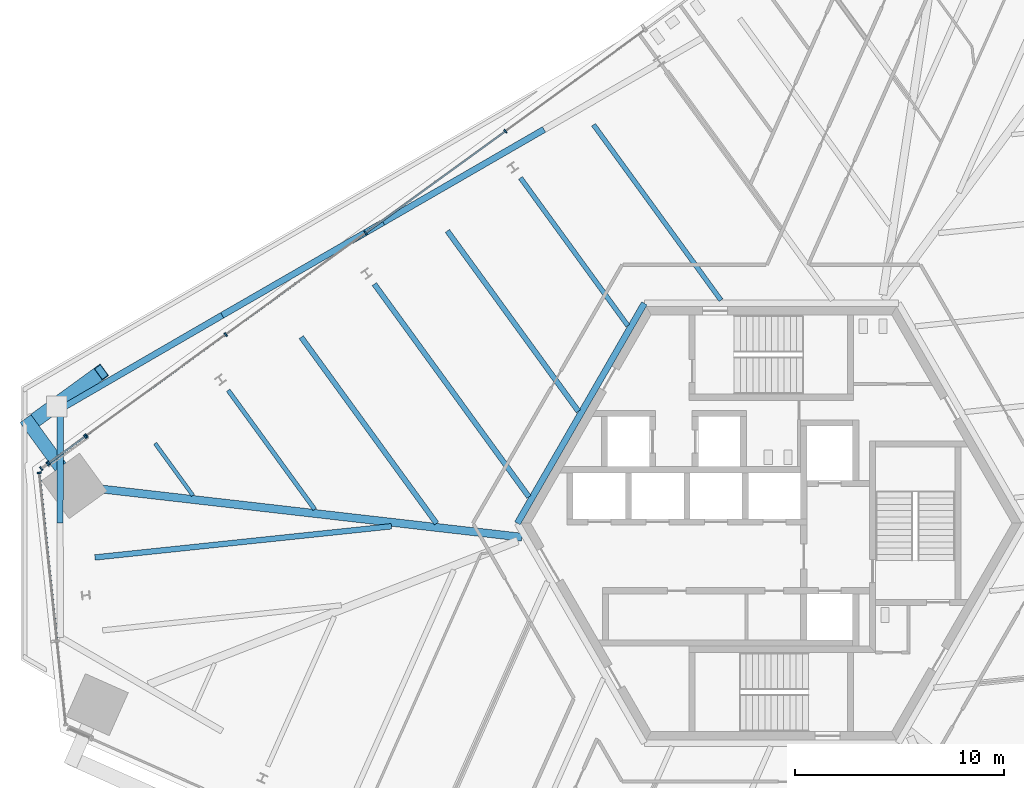
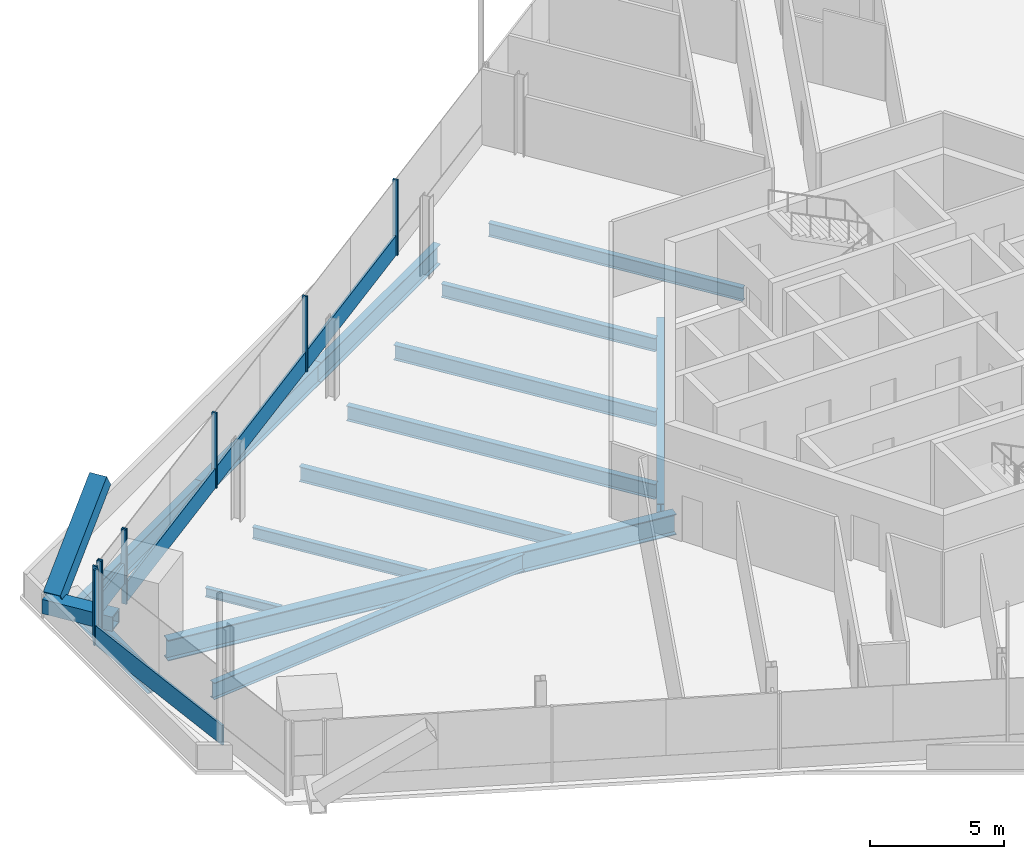
# One storey, part 6 of 24: 16 members, 14 beams, 4 elements without a shape of their own.
"""IFC4 building model written with IfcOpenShell, lengths in metres."""

from ifc_helpers import new_model, si_unit, direction, frame, origin, origin_2d, place, context, subcontext, project, spatial, rectangle, hollow_rectangle, i_section, extrude, source, transform, mapped, material, material_profile, profile_set, type_object, element, aggregate, save


model = new_model("IFC4")

# Units and contexts
model_context = context("Model", 3, precision=1e-05, world=origin(), true_north=direction((0.0, 1.0)))
body_context = subcontext(model_context, "Body", "Model", "MODEL_VIEW")
ifc_project = project(units=[si_unit("LENGTHUNIT", "METRE"), si_unit("AREAUNIT", "SQUARE_METRE"), si_unit("VOLUMEUNIT", "CUBIC_METRE"), si_unit("PLANEANGLEUNIT", "RADIAN"), si_unit("MASSUNIT", "GRAM", prefix="KILO")], contexts=[model_context])

# Site, building, storey
site_placement = place(None, origin())
site = spatial("IfcSite", under=ifc_project, at=site_placement, CompositionType="ELEMENT")
building_placement = place(site_placement, origin())
building = spatial("IfcBuilding", under=site, at=building_placement, Name="Triune Harvest Tower", CompositionType="ELEMENT")
storey_placement = place(building_placement, frame((0.0, 0.0, 58.5)))
storey = spatial("IfcBuildingStorey", under=building, at=storey_placement, Name="L13", CompositionType="ELEMENT", Elevation=58.5)

# Beams
ifc_material_1 = material(Name="Steel ASTM A992 Gr 50", Category="steel")
ifc_material_profile_1 = material_profile(ifc_material_1, i_section(OverallWidth=0.383544921875, OverallDepth=0.9423828125, WebThickness=0.022216796875, FlangeThickness=0.039794921875, at=origin_2d()), Name="W36x232")
ifc_profile_set_1 = profile_set([ifc_material_profile_1], Name="Steel ASTM A992 Gr 50")
beam_type_1 = type_object("IfcBeamType", Name="HG-1 Hip girder W36x232", PredefinedType="BEAM", material=ifc_profile_set_1)
beam_1_placement = place(storey_placement, frame((-32.503173828125, 1.684326171875, -0.631103515625), z_axis=(0.993487831556, -0.113938266396, 0.0), x_axis=(0.113938266396, 0.993487831556, 0.0)))
element("IfcBeam", 1, at=beam_1_placement, inside=storey, type_object=beam_type_1, Name="beam/L13/HG5", PredefinedType="BEAM", context=body_context, shape_type="SweptSolid", body=[
    extrude(i_section(OverallWidth=0.383544921875, OverallDepth=0.9423828125, WebThickness=0.022216796875, FlangeThickness=0.039794921875, at=origin_2d()), origin(), (0.0, 0.0, 1.0), 20.673095703125),
])
ifc_material_2 = material(Name="Steel ASTM A992 Gr 50", Category="steel")
ifc_material_profile_2 = material_profile(ifc_material_2, i_section(OverallWidth=0.22900390625, OverallDepth=0.612060546875, WebThickness=0.011962890625, FlangeThickness=0.01953125, at=origin_2d()), Name="W24x84")
ifc_profile_set_2 = profile_set([ifc_material_profile_2], Name="Steel ASTM A992 Gr 50")
beam_type_2 = type_object("IfcBeamType", Name="JT-3 Floor joist W24x84", PredefinedType="JOIST", material=ifc_profile_set_2)
beam_2_placement = place(storey_placement, frame((-8.526611328125, 19.1044921875, -0.466064453125), z_axis=(0.587786097412, -0.809016380359, 0.0), x_axis=(0.809016380359, 0.587786097412, 0.0)))
element("IfcBeam", 2, at=beam_2_placement, inside=storey, type_object=beam_type_2, Name="beam/L13/JT18", PredefinedType="JOIST", context=body_context, shape_type="SweptSolid", body=[
    extrude(i_section(OverallWidth=0.22900390625, OverallDepth=0.612060546875, WebThickness=0.011962890625, FlangeThickness=0.01953125, at=origin_2d()), origin(), (0.0, 0.0, 1.0), 10.392333984375),
])
ifc_material_3 = material(Name="Steel ASTM A992 Gr 50", Category="steel")
ifc_material_profile_3 = material_profile(ifc_material_3, i_section(OverallWidth=0.253662109375, OverallDepth=0.683349609375, WebThickness=0.012451171875, FlangeThickness=0.01904296875, at=origin_2d()), Name="W27x94")
ifc_profile_set_3 = profile_set([ifc_material_profile_3], Name="Steel ASTM A992 Gr 50")
beam_type_3 = type_object("IfcBeamType", Name="JT-4 Floor joist W27x94", PredefinedType="JOIST", material=ifc_profile_set_3)
beam_3_placement = place(storey_placement, frame((-19.038330078125, 11.467041015625, -0.501708984375), z_axis=(0.587795332678, -0.809009670451, 0.0), x_axis=(0.809009670451, 0.587795332678, 0.0)))
element("IfcBeam", 3, at=beam_3_placement, inside=storey, type_object=beam_type_3, Name="beam/L13/JT21", PredefinedType="JOIST", context=body_context, shape_type="SweptSolid", body=[
    extrude(i_section(OverallWidth=0.253662109375, OverallDepth=0.683349609375, WebThickness=0.012451171875, FlangeThickness=0.01904296875, at=origin_2d()), origin(), (0.0, 0.0, 1.0), 12.614501953125),
])
ifc_material_4 = material(Name="Steel ASTM A992 Gr 50", Category="steel")
ifc_material_profile_4 = material_profile(ifc_material_4, i_section(OverallWidth=0.2666015625, OverallDepth=0.7568359375, WebThickness=0.013916015625, FlangeThickness=0.019287109375, at=origin_2d()), Name="W30x108")
ifc_profile_set_4 = profile_set([ifc_material_profile_4], Name="Steel ASTM A992 Gr 50")
beam_type_4 = type_object("IfcBeamType", Name="JT-5 Floor joist W30x108", PredefinedType="JOIST", material=ifc_profile_set_4)
beam_4_placement = place(storey_placement, frame((-32.4326171875, -1.641357421875, -0.53857421875), z_axis=(0.994522285292, 0.104524753323, 0.0), x_axis=(-0.104524753323, 0.994522285292, 0.0)))
element("IfcBeam", 4, at=beam_4_placement, inside=storey, type_object=beam_type_4, Name="beam/L13/JT25", PredefinedType="JOIST", context=body_context, shape_type="SweptSolid", body=[
    extrude(i_section(OverallWidth=0.2666015625, OverallDepth=0.7568359375, WebThickness=0.013916015625, FlangeThickness=0.019287109375, at=origin_2d()), origin(), (0.0, 0.0, 1.0), 14.294677734375),
])
ifc_material_5 = material(Name="Steel ASTM A992 Gr 50", Category="steel")
ifc_material_profile_5 = material_profile(ifc_material_5, i_section(OverallWidth=0.3046875, OverallDepth=0.914306640625, WebThickness=0.0166015625, FlangeThickness=0.02587890625, at=origin_2d()), Name="W36x160")
ifc_profile_set_5 = profile_set([ifc_material_profile_5], Name="Steel ASTM A992 Gr 50")
beam_type_5 = type_object("IfcBeamType", Name="CG-1 Core ring girder W36x160", PredefinedType="BEAM", material=ifc_profile_set_5)
shared_shape_1 = source(origin(), body_context, "Body", "SweptSolid", [
    extrude(i_section(OverallWidth=0.3046875, OverallDepth=0.914306640625, WebThickness=0.0166015625, FlangeThickness=0.02587890625, at=origin_2d()), origin(), (0.0, 0.0, 1.0), 12.176025390625),
])
beam_5_placement = place(storey_placement, frame((-6.087890625, 10.544677734375, -0.6171875), z_axis=(-0.5000099932, -0.866019634131, 0.0), x_axis=(0.866019634131, -0.5000099932, 0.0)))
element("IfcBeam", 5, at=beam_5_placement, inside=storey, type_object=beam_type_5, Name="beam/L13/CG3", PredefinedType="BEAM", context=body_context, shape_type="MappedRepresentation", body=[
    mapped(shared_shape_1, transform((0.0, 0.0, 0.0), scale=1.0)),
])
ifc_material_6 = material(Name="Steel ASTM A992 Gr 50", Category="steel")
ifc_material_profile_6 = material_profile(ifc_material_6, i_section(OverallWidth=0.3046875, OverallDepth=0.914306640625, WebThickness=0.0166015625, FlangeThickness=0.02587890625, at=origin_2d()), Name="W36x160")
ifc_profile_set_6 = profile_set([ifc_material_profile_6], Name="Steel ASTM A992 Gr 50")
beam_type_6 = type_object("IfcBeamType", Name="SB-1 Spandrel beam W36x160", PredefinedType="SPANDREL", material=ifc_profile_set_6)
shared_shape_2 = source(origin(), body_context, "Body", "SweptSolid", [
    extrude(i_section(OverallWidth=0.3046875, OverallDepth=0.914306640625, WebThickness=0.0166015625, FlangeThickness=0.02587890625, at=origin_2d()), origin(), (0.0, 0.0, 1.0), 8.909912109375),
])
beam_6_placement = place(storey_placement, frame((-18.615966796875, 14.423828125, -0.6171875), z_axis=(-0.866034096015, -0.499984944314, 0.0), x_axis=(0.499984944314, -0.866034096015, 0.0)))
element("IfcBeam", 6, at=beam_6_placement, inside=storey, type_object=beam_type_6, Name="beam/L13/WB11", PredefinedType="SPANDREL", context=body_context, shape_type="MappedRepresentation", body=[
    mapped(shared_shape_2, transform((0.0, 0.0, 0.0), scale=1.0)),
])
shared_shape_3 = source(origin(), body_context, "Body", "SweptSolid", [
    extrude(i_section(OverallWidth=0.3046875, OverallDepth=0.914306640625, WebThickness=0.0166015625, FlangeThickness=0.02587890625, at=origin_2d()), origin(), (0.0, 0.0, 1.0), 8.91015625),
])
beam_7_placement = place(storey_placement, frame((-10.899658203125, 18.87890625, -0.6171875), z_axis=(-0.866022231217, -0.500005495009, 0.0), x_axis=(0.500005495009, -0.866022231217, 0.0)))
element("IfcBeam", 7, at=beam_7_placement, inside=storey, type_object=beam_type_6, Name="beam/L13/WB10", PredefinedType="SPANDREL", context=body_context, shape_type="MappedRepresentation", body=[
    mapped(shared_shape_3, transform((0.0, 0.0, 0.0), scale=1.0)),
])
shared_shape_4 = source(origin(), body_context, "Body", "SweptSolid", [
    extrude(i_section(OverallWidth=0.3046875, OverallDepth=0.914306640625, WebThickness=0.0166015625, FlangeThickness=0.02587890625, at=origin_2d()), origin(), (0.0, 0.0, 1.0), 5.469970703125),
])
beam_8_placement = place(storey_placement, frame((-34.092529296875, 5.469970703125, -0.6171875), z_axis=(-0.002945758252, -0.999995661245, 0.0), x_axis=(0.999995661245, -0.002945758252, 0.0)))
element("IfcBeam", 8, at=beam_8_placement, inside=storey, type_object=beam_type_6, Name="beam/L13/WB13", PredefinedType="SPANDREL", context=body_context, shape_type="MappedRepresentation", body=[
    mapped(shared_shape_4, transform((0.0, 0.0, 0.0), scale=1.0)),
])
shared_shape_5 = source(origin(), body_context, "Body", "SweptSolid", [
    extrude(i_section(OverallWidth=0.3046875, OverallDepth=0.914306640625, WebThickness=0.0166015625, FlangeThickness=0.02587890625, at=origin_2d()), origin(), (0.0, 0.0, 1.0), 8.97021484375),
])
beam_9_placement = place(storey_placement, frame((-26.332275390625, 9.968994140625, -0.6171875), z_axis=(-0.865124255228, -0.501557596909, 0.0), x_axis=(0.501557596909, -0.865124255228, 0.0)))
element("IfcBeam", 9, at=beam_9_placement, inside=storey, type_object=beam_type_6, Name="beam/L13/WB12", PredefinedType="SPANDREL", context=body_context, shape_type="MappedRepresentation", body=[
    mapped(shared_shape_5, transform((0.0, 0.0, 0.0), scale=1.0)),
])
shared_shape_6 = source(origin(), body_context, "Body", "SweptSolid", [
    extrude(i_section(OverallWidth=0.22900390625, OverallDepth=0.612060546875, WebThickness=0.011962890625, FlangeThickness=0.01953125, at=origin_2d()), origin(), (0.0, 0.0, 1.0), 8.758056640625),
])
beam_10_placement = place(storey_placement, frame((-12.030517578125, 16.55859375, -0.466064453125), z_axis=(0.587790411092, -0.809013246263, 0.0), x_axis=(0.809013246263, 0.587790411092, 0.0)))
element("IfcBeam", 10, at=beam_10_placement, inside=storey, type_object=beam_type_2, Name="beam/L13/JT19", PredefinedType="JOIST", context=body_context, shape_type="MappedRepresentation", body=[
    mapped(shared_shape_6, transform((0.0, 0.0, 0.0), scale=1.0)),
])
shared_shape_7 = source(origin(), body_context, "Body", "SweptSolid", [
    extrude(i_section(OverallWidth=0.253662109375, OverallDepth=0.683349609375, WebThickness=0.012451171875, FlangeThickness=0.01904296875, at=origin_2d()), origin(), (0.0, 0.0, 1.0), 10.686279296875),
])
beam_11_placement = place(storey_placement, frame((-15.534423828125, 14.012939453125, -0.501708984375), z_axis=(0.587780407528, -0.80902051428, 0.0), x_axis=(0.80902051428, 0.587780407528, 0.0)))
element("IfcBeam", 11, at=beam_11_placement, inside=storey, type_object=beam_type_3, Name="beam/L13/JT20", PredefinedType="JOIST", context=body_context, shape_type="MappedRepresentation", body=[
    mapped(shared_shape_7, transform((0.0, 0.0, 0.0), scale=1.0)),
])
ifc_material_7 = material(Name="Steel ASTM A992 Gr 50", Category="steel")
ifc_material_profile_7 = material_profile(ifc_material_7, i_section(OverallWidth=0.180908203125, OverallDepth=0.41650390625, WebThickness=0.010986328125, FlangeThickness=0.01806640625, at=origin_2d()), Name="W16x57")
ifc_profile_set_7 = profile_set([ifc_material_profile_7], Name="Steel ASTM A992 Gr 50")
beam_type_7 = type_object("IfcBeamType", Name="JT-1 Floor joist W16x57", PredefinedType="JOIST", material=ifc_profile_set_7)
shared_shape_8 = source(origin(), body_context, "Body", "SweptSolid", [
    extrude(i_section(OverallWidth=0.180908203125, OverallDepth=0.41650390625, WebThickness=0.010986328125, FlangeThickness=0.01806640625, at=origin_2d()), origin(), (0.0, 0.0, 1.0), 3.08935546875),
])
beam_12_placement = place(storey_placement, frame((-29.55029296875, 3.829833984375, -0.368408203125), z_axis=(0.587805121432, -0.809002558228, 0.0), x_axis=(0.809002558228, 0.587805121432, 0.0)))
element("IfcBeam", 12, at=beam_12_placement, inside=storey, type_object=beam_type_7, Name="beam/L13/JT24", PredefinedType="JOIST", context=body_context, shape_type="MappedRepresentation", body=[
    mapped(shared_shape_8, transform((0.0, 0.0, 0.0), scale=1.0)),
])
shared_shape_9 = source(origin(), body_context, "Body", "SweptSolid", [
    extrude(i_section(OverallWidth=0.253662109375, OverallDepth=0.683349609375, WebThickness=0.012451171875, FlangeThickness=0.01904296875, at=origin_2d()), origin(), (0.0, 0.0, 1.0), 11.03857421875),
])
beam_13_placement = place(storey_placement, frame((-22.542236328125, 8.92138671875, -0.501708984375), z_axis=(0.587782369697, -0.809019088695, 0.0), x_axis=(0.809019088695, 0.587782369697, 0.0)))
element("IfcBeam", 13, at=beam_13_placement, inside=storey, type_object=beam_type_3, Name="beam/L13/JT22", PredefinedType="JOIST", context=body_context, shape_type="MappedRepresentation", body=[
    mapped(shared_shape_9, transform((0.0, 0.0, 0.0), scale=1.0)),
])
ifc_material_8 = material(Name="Steel ASTM A992 Gr 50", Category="steel")
ifc_material_profile_8 = material_profile(ifc_material_8, i_section(OverallWidth=0.2099609375, OverallDepth=0.535888671875, WebThickness=0.010986328125, FlangeThickness=0.017333984375, at=origin_2d()), Name="W21x68")
ifc_profile_set_8 = profile_set([ifc_material_profile_8], Name="Steel ASTM A992 Gr 50")
beam_type_8 = type_object("IfcBeamType", Name="JT-2 Floor joist W21x68", PredefinedType="JOIST", material=ifc_profile_set_8)
shared_shape_10 = source(origin(), body_context, "Body", "SweptSolid", [
    extrude(i_section(OverallWidth=0.2099609375, OverallDepth=0.535888671875, WebThickness=0.010986328125, FlangeThickness=0.017333984375, at=origin_2d()), origin(), (0.0, 0.0, 1.0), 7.06396484375),
])
beam_14_placement = place(storey_placement, frame((-26.046142578125, 6.37548828125, -0.427978515625), z_axis=(0.587787344814, -0.809015474065, 0.0), x_axis=(0.809015474065, 0.587787344814, 0.0)))
element("IfcBeam", 14, at=beam_14_placement, inside=storey, type_object=beam_type_8, Name="beam/L13/JT23", PredefinedType="JOIST", context=body_context, shape_type="MappedRepresentation", body=[
    mapped(shared_shape_10, transform((0.0, 0.0, 0.0), scale=1.0)),
])

# Members
ifc_material_9 = material(Name="Steel ASTM A572 Gr 50", Category="steel")
ifc_material_profile_9 = material_profile(ifc_material_9, hollow_rectangle(XDim=0.699951171875, YDim=0.699951171875, WallThickness=0.0400390625, at=origin_2d()), Name="Box 700x700x40")
ifc_profile_set_9 = profile_set([ifc_material_profile_9], Name="Steel ASTM A572 Gr 50")
member_type_1 = type_object("IfcMemberType", Name="BR-1 Brace Box 700x700x40", PredefinedType="BRACE", material=ifc_profile_set_9)
shared_shape_11 = source(origin(), body_context, "Body", "SweptSolid", [
    extrude(hollow_rectangle(XDim=0.699951171875, YDim=0.699951171875, WallThickness=0.0400390625, at=origin_2d()), origin(), (0.0, 0.0, 1.0), 5.04541015625),
])
member_1_placement = place(storey_placement, frame((-35.570068359375, 4.746826171875, 0.889892578125), z_axis=(0.682380393926, 0.495792761038, 0.537165278185), x_axis=(-0.58779641416, 0.809008884686, 0.0)))
element("IfcMember", 15, at=member_1_placement, inside=storey, type_object=member_type_1, Name="brace/B2-F3/d2/1", PredefinedType="BRACE", context=body_context, shape_type="MappedRepresentation", body=[
    mapped(shared_shape_11, transform((0.0, 0.0, 0.0), scale=1.0)),
])
ifc_material_10 = material(Name="Steel ASTM A572 Gr 50", Category="steel")
ifc_material_profile_10 = material_profile(ifc_material_10, hollow_rectangle(XDim=0.64990234375, YDim=0.64990234375, WallThickness=0.070068359375, at=origin_2d()), Name="Box 650x650x70")
ifc_profile_set_10 = profile_set([ifc_material_profile_10], Name="Steel ASTM A572 Gr 50")
member_type_2 = type_object("IfcMemberType", Name="BS-1 Brace stub Box 650x650x70", PredefinedType="STRUT", material=ifc_profile_set_10)
shared_shape_12 = source(origin(), body_context, "Body", "SweptSolid", [
    extrude(hollow_rectangle(XDim=0.64990234375, YDim=0.64990234375, WallThickness=0.070068359375, at=origin_2d()), origin(), (0.0, 0.0, 1.0), 2.8603515625),
])
member_2_placement = place(storey_placement, frame((-34.082763671875, 2.69970703125, 0.60009765625), z_axis=(-0.587735162461, 0.809053384399, 0.0), x_axis=(-0.809053384399, -0.587735162461, 0.0)))
element("IfcMember", 16, at=member_2_placement, inside=storey, type_object=member_type_2, Name="brace/B2-F3/stub3", PredefinedType="STRUT", context=body_context, shape_type="MappedRepresentation", body=[
    mapped(shared_shape_12, transform((0.0, 0.0, 0.0), scale=1.0)),
])

# Curtain wall, members
ifc_material_11 = material(Name="Aluminium bronze anodised", Category="aluminium")
curtain_wall_type = type_object("IfcCurtainWallType", Name="CW-1 Tower stick curtain wall", PredefinedType="NOTDEFINED", material=ifc_material_11)
curtain_wall_1_placement = place(storey_placement, origin())
curtain_wall_1 = element("IfcCurtainWall", 17, at=curtain_wall_1_placement, inside=storey, type_object=curtain_wall_type, Name="CW-1 B2-F3 L13 run 201")
ifc_material_12 = material(Name="Aluminium bronze anodised", Category="aluminium")
ifc_material_profile_11 = material_profile(ifc_material_12, rectangle(XDim=0.199951171875, YDim=0.074951171875, at=origin_2d()), Name="MU-1 mullion 75 x 200")
ifc_profile_set_11 = profile_set([ifc_material_profile_11], Name="Aluminium bronze anodised")
member_type_3 = type_object("IfcMemberType", Name="MU-1 mullion 75 x 200", PredefinedType="MULLION", material=ifc_profile_set_11)
shared_shape_13 = source(origin(), body_context, "Body", "SweptSolid", [
    extrude(rectangle(XDim=0.199951171875, YDim=0.074951171875, at=origin_2d()), origin(), (0.0, 0.0, 1.0), 2.454833984375),
])
member_3_placement = place(storey_placement, frame((-32.900390625, 4.15234375, 0.985107421875), z_axis=(0.0, 0.0, 1.0), x_axis=(0.587785522888, -0.809016797775, 0.0)))
member_3 = element("IfcMember", 18, at=member_3_placement, type_object=member_type_3, Name="CW-1 mullion B2-F3 201.1", PredefinedType="MULLION", context=body_context, shape_type="MappedRepresentation", body=[
    mapped(shared_shape_13, transform((0.0, 0.0, 0.0), scale=1.0)),
])
member_4_placement = place(storey_placement, frame((-34.646240234375, 2.884033203125, 0.985107421875), z_axis=(0.0, 0.0, 1.0), x_axis=(0.587785522888, -0.809016797775, 0.0)))
member_4 = element("IfcMember", 19, at=member_4_placement, type_object=member_type_3, Name="CW-1 mullion B2-F3 201.2", PredefinedType="MULLION", context=body_context, shape_type="MappedRepresentation", body=[
    mapped(shared_shape_13, transform((0.0, 0.0, 0.0), scale=1.0)),
])

curtain_wall_2_placement = place(storey_placement, origin())
curtain_wall_2 = element("IfcCurtainWall", 20, at=curtain_wall_2_placement, inside=storey, type_object=curtain_wall_type, Name="CW-1 B2-F3 L13 run 1101")
shared_shape_14 = source(origin(), body_context, "Body", "SweptSolid", [
    extrude(rectangle(XDim=0.199951171875, YDim=0.074951171875, at=origin_2d()), origin(), (0.0, 0.0, 1.0), 3.43994140625),
])
member_5_placement = place(storey_placement, frame((-12.749755859375, 18.792724609375, 0.0), z_axis=(0.0, 0.0, 1.0), x_axis=(0.587785218588, -0.809017018863, 0.0)))
member_5 = element("IfcMember", 21, at=member_5_placement, type_object=member_type_3, Name="CW-1 mullion B2-F3 1101.3", PredefinedType="MULLION", context=body_context, shape_type="MappedRepresentation", body=[
    mapped(shared_shape_14, transform((0.0, 0.0, 0.0), scale=1.0)),
])
member_6_placement = place(storey_placement, frame((-19.45654296875, 13.920166015625, 0.0), z_axis=(0.0, 0.0, 1.0), x_axis=(0.587785218588, -0.809017018863, 0.0)))
member_6 = element("IfcMember", 22, at=member_6_placement, type_object=member_type_3, Name="CW-1 mullion B2-F3 1101.5", PredefinedType="MULLION", context=body_context, shape_type="MappedRepresentation", body=[
    mapped(shared_shape_14, transform((0.0, 0.0, 0.0), scale=1.0)),
])
member_7_placement = place(storey_placement, frame((-26.163330078125, 9.04736328125, 0.0), z_axis=(0.0, 0.0, 1.0), x_axis=(0.587785218588, -0.809017018863, 0.0)))
member_7 = element("IfcMember", 23, at=member_7_placement, type_object=member_type_3, Name="CW-1 mullion B2-F3 1101.7", PredefinedType="MULLION", context=body_context, shape_type="MappedRepresentation", body=[
    mapped(shared_shape_14, transform((0.0, 0.0, 0.0), scale=1.0)),
])
member_8_placement = place(storey_placement, frame((-32.83984375, 4.196533203125, 0.0), z_axis=(0.0, 0.0, 1.0), x_axis=(0.587785218588, -0.809017018863, 0.0)))
member_8 = element("IfcMember", 24, at=member_8_placement, type_object=member_type_3, Name="CW-1 mullion B2-F3 1101.9", PredefinedType="MULLION", context=body_context, shape_type="MappedRepresentation", body=[
    mapped(shared_shape_14, transform((0.0, 0.0, 0.0), scale=1.0)),
])

curtain_wall_3_placement = place(storey_placement, origin())
curtain_wall_3 = element("IfcCurtainWall", 25, at=curtain_wall_3_placement, inside=storey, type_object=curtain_wall_type, Name="CW-1 B2-F3 L13 run 301")
member_9_placement = place(storey_placement, frame((-34.70703125, 2.83984375, 0.0), z_axis=(0.0, 0.0, 1.0), x_axis=(0.587816204591, -0.808994505309, 0.0)))
member_9 = element("IfcMember", 26, at=member_9_placement, type_object=member_type_3, Name="CW-1 mullion B2-F3 301.1", PredefinedType="MULLION", context=body_context, shape_type="MappedRepresentation", body=[
    mapped(shared_shape_14, transform((0.0, 0.0, 0.0), scale=1.0)),
])
member_10_placement = place(storey_placement, frame((-35.01171875, 2.61865234375, 0.0), z_axis=(0.0, 0.0, 1.0), x_axis=(0.587816204591, -0.808994505309, 0.0)))
member_10 = element("IfcMember", 27, at=member_10_placement, type_object=member_type_3, Name="CW-1 mullion B2-F3 301.2", PredefinedType="MULLION", context=body_context, shape_type="MappedRepresentation", body=[
    mapped(shared_shape_14, transform((0.0, 0.0, 0.0), scale=1.0)),
])
aggregate(curtain_wall_3, [member_9, member_10])

# Curtain wall, member
curtain_wall_4_placement = place(storey_placement, origin())
curtain_wall_4 = element("IfcCurtainWall", 28, at=curtain_wall_4_placement, inside=storey, type_object=curtain_wall_type, Name="CW-1 B2-F4 L13 run 1")
member_11_placement = place(storey_placement, frame((-35.1015625, 2.416748046875, 0.0), z_axis=(0.0, 0.0, 1.0), x_axis=(0.994521790334, 0.104529462601, 0.0)))
member_11 = element("IfcMember", 29, at=member_11_placement, type_object=member_type_3, Name="CW-1 mullion B2-F4 1.1", PredefinedType="MULLION", context=body_context, shape_type="MappedRepresentation", body=[
    mapped(shared_shape_14, transform((0.0, 0.0, 0.0), scale=1.0)),
])

# Member
ifc_material_13 = material(Name="Aluminium bronze anodised", Category="aluminium")
ifc_material_profile_12 = material_profile(ifc_material_13, rectangle(XDim=0.090087890625, YDim=0.89990234375, at=origin_2d()), Name="TR-1 transom 90 x 900")
ifc_profile_set_12 = profile_set([ifc_material_profile_12], Name="Aluminium bronze anodised")
member_type_4 = type_object("IfcMemberType", Name="TR-1 transom 90 x 900", PredefinedType="USERDEFINED", material=ifc_profile_set_12)
shared_shape_15 = source(origin(), body_context, "Body", "SweptSolid", [
    extrude(rectangle(XDim=0.090087890625, YDim=0.89990234375, at=origin_2d()), origin(), (0.0, 0.0, 1.0), 8.177490234375),
])
member_12_placement = place(storey_placement, frame((-26.193603515625, 9.025146484375, 0.449951171875), z_axis=(-0.809014856645, -0.587788194613, 0.0), x_axis=(0.587788194613, -0.809014856645, 0.0)))
member_12 = element("IfcMember", 30, at=member_12_placement, type_object=member_type_4, Name="CW-1 transom B2-F3 1101.4", ObjectType="TRANSOM", PredefinedType="USERDEFINED", context=body_context, shape_type="MappedRepresentation", body=[
    mapped(shared_shape_15, transform((0.0, 0.0, 0.0), scale=1.0)),
])

shared_shape_16 = source(origin(), body_context, "Body", "SweptSolid", [
    extrude(rectangle(XDim=0.090087890625, YDim=0.89990234375, at=origin_2d()), origin(), (0.0, 0.0, 1.0), 8.215087890625),
])
member_13_placement = place(storey_placement, frame((-12.780029296875, 18.770751953125, 0.449951171875), z_axis=(-0.809026423692, -0.587772273731, 0.0), x_axis=(0.587772273731, -0.809026423692, 0.0)))
member_13 = element("IfcMember", 31, at=member_13_placement, type_object=member_type_4, Name="CW-1 transom B2-F3 1101.2", ObjectType="TRANSOM", PredefinedType="USERDEFINED", context=body_context, shape_type="MappedRepresentation", body=[
    mapped(shared_shape_16, transform((0.0, 0.0, 0.0), scale=1.0)),
])

member_14_placement = place(storey_placement, frame((-19.48681640625, 13.89794921875, 0.449951171875), z_axis=(-0.809026423692, -0.587772273731, 0.0), x_axis=(0.587772273731, -0.809026423692, 0.0)))
member_14 = element("IfcMember", 32, at=member_14_placement, type_object=member_type_4, Name="CW-1 transom B2-F3 1101.3", ObjectType="TRANSOM", PredefinedType="USERDEFINED", context=body_context, shape_type="MappedRepresentation", body=[
    mapped(shared_shape_16, transform((0.0, 0.0, 0.0), scale=1.0)),
])

aggregate(curtain_wall_2, [member_5, member_6, member_7, member_8, member_13, member_14, member_12])

shared_shape_17 = source(origin(), body_context, "Body", "SweptSolid", [
    extrude(rectangle(XDim=0.090087890625, YDim=0.89990234375, at=origin_2d()), origin(), (0.0, 0.0, 1.0), 2.0830078125),
])
member_15_placement = place(storey_placement, frame((-32.9306640625, 4.13037109375, 1.43505859375), z_axis=(-0.809034999426, -0.587760469668, 0.0), x_axis=(0.587760469668, -0.809034999426, 0.0)))
member_15 = element("IfcMember", 33, at=member_15_placement, type_object=member_type_4, Name="CW-1 transom B2-F3 201.1", ObjectType="TRANSOM", PredefinedType="USERDEFINED", context=body_context, shape_type="MappedRepresentation", body=[
    mapped(shared_shape_17, transform((0.0, 0.0, 0.0), scale=1.0)),
])

aggregate(curtain_wall_1, [member_3, member_4, member_15])

shared_shape_18 = source(origin(), body_context, "Body", "SweptSolid", [
    extrude(rectangle(XDim=0.090087890625, YDim=0.89990234375, at=origin_2d()), origin(), (0.0, 0.0, 1.0), 8.0341796875),
])
member_16_placement = place(storey_placement, frame((-35.09765625, 2.37939453125, 0.449951171875), z_axis=(0.104532929154, -0.994521425975, 0.0), x_axis=(0.994521425975, 0.104532929154, 0.0)))
member_16 = element("IfcMember", 34, at=member_16_placement, type_object=member_type_4, Name="CW-1 transom B2-F4 1.1", ObjectType="TRANSOM", PredefinedType="USERDEFINED", context=body_context, shape_type="MappedRepresentation", body=[
    mapped(shared_shape_18, transform((0.0, 0.0, 0.0), scale=1.0)),
])

aggregate(curtain_wall_4, [member_11, member_16])

save(model, "model.ifc")
